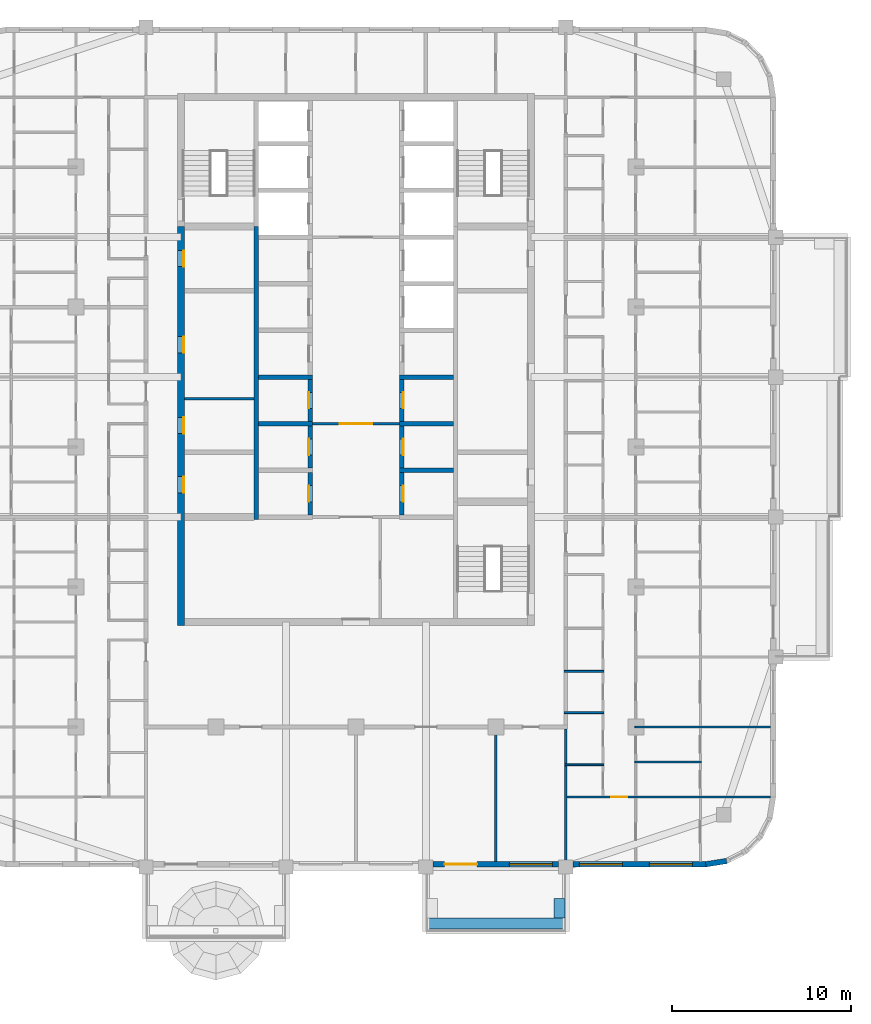
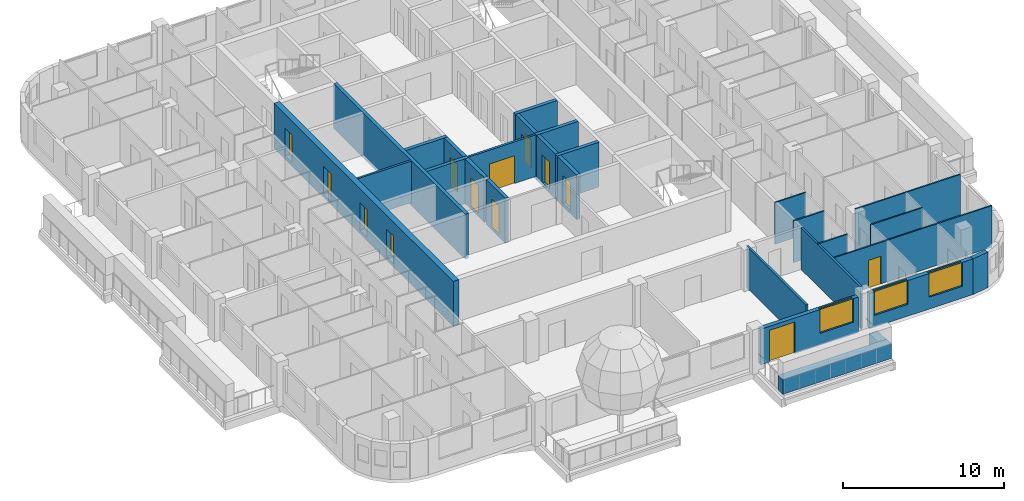
# One storey, part 5 of 17: 28 walls, 13 doors, 3 windows, 16 openings.
"""IFC4 building model written with IfcOpenShell, lengths in metres."""

from ifc_helpers import new_model, si_unit, direction, frame, frame_2d, origin, place, context, subcontext, project, spatial, rectangle, extrude, material, layer, layer_set, type_object, element, fill, save


model = new_model("IFC4")

# Units and contexts
model_context = context("Model", 3, precision=1e-05, world=origin(), true_north=direction((0.0, 1.0)))
body_context = subcontext(model_context, "Body", "Model", "MODEL_VIEW")
ifc_project = project(units=[si_unit("LENGTHUNIT", "METRE"), si_unit("AREAUNIT", "SQUARE_METRE"), si_unit("VOLUMEUNIT", "CUBIC_METRE"), si_unit("PLANEANGLEUNIT", "RADIAN"), si_unit("MASSUNIT", "GRAM", prefix="KILO")], contexts=[model_context])

# Site, building, storey
site_placement = place(None, origin())
site = spatial("IfcSite", under=ifc_project, at=site_placement, CompositionType="ELEMENT")
building_placement = place(site_placement, origin())
building = spatial("IfcBuilding", under=site, at=building_placement, Name="Ludao Terraces", CompositionType="ELEMENT")
storey_placement = place(building_placement, frame((0.0, 0.0, 231.300048828125)))
storey = spatial("IfcBuildingStorey", under=building, at=storey_placement, Name="L63", CompositionType="ELEMENT", Elevation=231.300048828125)

# Wall, openings, doors
ifc_material_1 = material(Name="Concrete C50", Category="concrete")
ifc_layer_1 = layer(ifc_material_1, 0.39990234375)
ifc_layer_set_1 = layer_set([ifc_layer_1], Name="Core wall 400 C50")
wall_type_1 = type_object("IfcWallType", Name="Core wall 400 C50", PredefinedType="SOLIDWALL", material=ifc_layer_set_1)
wall_1_placement = place(storey_placement, frame((75.25, 55.050048828125, -0.25), z_axis=(0.0, 0.0, 1.0), x_axis=(0.0, 1.0, 0.0)))
wall_1 = element("IfcWall", 1, at=wall_1_placement, inside=storey, type_object=wall_type_1, Name="Core wall L63 outer-W", PredefinedType="SOLIDWALL", context=body_context, shape_type="SweptSolid", body=[
    extrude(rectangle(XDim=22.25, YDim=0.39990234375, at=frame_2d((11.125, 0.0))), origin(), (0.0, 0.0, 1.0), 3.39990234375),
])
opening_1_placement = place(wall_1_placement, frame((7.39990234375, 0.0, 0.25)))
opening_1 = element("IfcOpeningElement", 2, at=opening_1_placement, cuts=wall_1, Name="Opening R22-054", PredefinedType="OPENING", context=body_context, shape_type="SweptSolid", body=[
    extrude(rectangle(XDim=0.89990234375, YDim=2.10009765625, at=frame_2d((0.449951171875, 1.050048828125))), frame((0.0, 0.2099609375, 0.0), z_axis=(0.0, -1.0, 0.0), x_axis=(1.0, 0.0, 0.0)), (0.0, 0.0, 1.0), 0.419921875),
])
opening_2_placement = place(wall_1_placement, frame((10.699951171875, 0.0, 0.25)))
opening_2 = element("IfcOpeningElement", 3, at=opening_2_placement, cuts=wall_1, Name="Opening R22-065", PredefinedType="OPENING", context=body_context, shape_type="SweptSolid", body=[
    extrude(rectangle(XDim=0.89990234375, YDim=2.10009765625, at=frame_2d((0.449951171875, 1.050048828125))), frame((0.0, 0.2099609375, 0.0), z_axis=(0.0, -1.0, 0.0), x_axis=(1.0, 0.0, 0.0)), (0.0, 0.0, 1.0), 0.419921875),
])
opening_3_placement = place(wall_1_placement, frame((15.199951171875, 0.0, 0.25)))
opening_3 = element("IfcOpeningElement", 4, at=opening_3_placement, cuts=wall_1, Name="Opening R22-081", PredefinedType="OPENING", context=body_context, shape_type="SweptSolid", body=[
    extrude(rectangle(XDim=0.89990234375, YDim=2.10009765625, at=frame_2d((0.449951171875, 1.050048828125))), frame((0.0, 0.2099609375, 0.0), z_axis=(0.0, -1.0, 0.0), x_axis=(1.0, 0.0, 0.0)), (0.0, 0.0, 1.0), 0.419921875),
])
opening_4_placement = place(wall_1_placement, frame((20.0, 0.0, 0.25)))
opening_4 = element("IfcOpeningElement", 5, at=opening_4_placement, cuts=wall_1, Name="Opening R22-097", PredefinedType="OPENING", context=body_context, shape_type="SweptSolid", body=[
    extrude(rectangle(XDim=0.89990234375, YDim=2.10009765625, at=frame_2d((0.449951171875, 1.050048828125))), frame((0.0, 0.2099609375, 0.0), z_axis=(0.0, -1.0, 0.0), x_axis=(1.0, 0.0, 0.0)), (0.0, 0.0, 1.0), 0.419921875),
])
ifc_material_2 = material(Name="Steel Q235", Category="steel")
door_type_1 = type_object("IfcDoorType", Name="INT Riser door 900", OperationType="SINGLE_SWING_LEFT", PredefinedType="DOOR", material=ifc_material_2)
door_1_placement = place(opening_1_placement, origin())
door_1 = element("IfcDoor", 6, at=door_1_placement, inside=storey, type_object=door_type_1, Name="DOOR 054", OperationType="SINGLE_SWING_RIGHT", OverallHeight=2.10009765625, OverallWidth=0.89990234375, PredefinedType="DOOR", context=body_context, shape_type="SweptSolid", body=[
    extrude(rectangle(XDim=0.89990234375, YDim=2.10009765625, at=frame_2d((0.449951171875, 1.050048828125))), frame((0.0, -0.134765625, 0.0), z_axis=(0.0, -1.0, 0.0), x_axis=(1.0, 0.0, 0.0)), (0.0, 0.0, 1.0), 0.050048828125),
])
fill(opening_1, door_1)
door_2_placement = place(opening_4_placement, origin())
door_2 = element("IfcDoor", 7, at=door_2_placement, inside=storey, type_object=door_type_1, Name="DOOR 097", OperationType="SINGLE_SWING_LEFT", OverallHeight=2.10009765625, OverallWidth=0.89990234375, PredefinedType="DOOR", context=body_context, shape_type="SweptSolid", body=[
    extrude(rectangle(XDim=0.89990234375, YDim=2.10009765625, at=frame_2d((0.449951171875, 1.050048828125))), frame((0.0, -0.134765625, 0.0), z_axis=(0.0, -1.0, 0.0), x_axis=(1.0, 0.0, 0.0)), (0.0, 0.0, 1.0), 0.050048828125),
])
fill(opening_4, door_2)
ifc_material_3 = material(Name="Timber door leaf", Category="wood")
door_type_2 = type_object("IfcDoorType", Name="INT Room door 900", OperationType="SINGLE_SWING_LEFT", PredefinedType="DOOR", material=ifc_material_3)
door_3_placement = place(opening_2_placement, origin())
door_3 = element("IfcDoor", 8, at=door_3_placement, inside=storey, type_object=door_type_2, Name="DOOR 065", OperationType="SINGLE_SWING_RIGHT", OverallHeight=2.10009765625, OverallWidth=0.89990234375, PredefinedType="DOOR", context=body_context, shape_type="SweptSolid", body=[
    extrude(rectangle(XDim=0.89990234375, YDim=2.10009765625, at=frame_2d((0.449951171875, 1.050048828125))), frame((0.0, -0.134765625, 0.0), z_axis=(0.0, -1.0, 0.0), x_axis=(1.0, 0.0, 0.0)), (0.0, 0.0, 1.0), 0.050048828125),
])
fill(opening_2, door_3)
door_4_placement = place(opening_3_placement, origin())
door_4 = element("IfcDoor", 9, at=door_4_placement, inside=storey, type_object=door_type_2, Name="DOOR 081", OperationType="SINGLE_SWING_RIGHT", OverallHeight=2.10009765625, OverallWidth=0.89990234375, PredefinedType="DOOR", context=body_context, shape_type="SweptSolid", body=[
    extrude(rectangle(XDim=0.89990234375, YDim=2.10009765625, at=frame_2d((0.449951171875, 1.050048828125))), frame((0.0, -0.134765625, 0.0), z_axis=(0.0, -1.0, 0.0), x_axis=(1.0, 0.0, 0.0)), (0.0, 0.0, 1.0), 0.050048828125),
])
fill(opening_3, door_4)

# Walls
ifc_material_4 = material(Name="Concrete C40", Category="concrete")
ifc_layer_2 = layer(ifc_material_4, 0.60009765625)
ifc_layer_set_2 = layer_set([ifc_layer_2], Name="ENV Planter trough 600")
wall_type_2 = type_object("IfcWallType", Name="ENV Planter trough 600", PredefinedType="USERDEFINED", material=ifc_layer_set_2)
wall_2_placement = place(storey_placement, frame((88.89990234375, 38.449951171875, 0.0), z_axis=(0.0, 0.0, 1.0), x_axis=(1.0, 0.0, 0.0)))
element("IfcWall", 10, at=wall_2_placement, inside=storey, type_object=wall_type_2, Name="PL-L63-S3", ObjectType="PLANTER", PredefinedType="USERDEFINED", context=body_context, shape_type="SweptSolid", body=[
    extrude(rectangle(XDim=7.800048828125, YDim=0.60009765625, at=frame_2d((3.89990234375, 0.0))), origin(), (0.0, 0.0, 1.0), 1.099853515625),
])
wall_3_placement = place(storey_placement, frame((96.35009765625, 38.75, 0.0), z_axis=(0.0, 0.0, 1.0), x_axis=(0.0, 1.0, 0.0)))
element("IfcWall", 11, at=wall_3_placement, inside=storey, type_object=wall_type_2, Name="PL-L63-S3-SB", ObjectType="PLANTER", PredefinedType="USERDEFINED", context=body_context, shape_type="SweptSolid", body=[
    extrude(rectangle(XDim=1.10009765625, YDim=0.60009765625, at=frame_2d((0.550048828125, 0.0))), origin(), (0.0, 0.0, 1.0), 1.099853515625),
])

# Wall, openings, door, window
ifc_material_5 = material(Name="Granite cladding", Category="masonry")
ifc_layer_3 = layer(ifc_material_5, 0.0400390625, Category="stone")
ifc_material_6 = material(Name="Mineral wool")
ifc_layer_4 = layer(ifc_material_6, 0.06005859375)
ifc_layer_5 = layer(ifc_material_4, 0.199951171875, Category="concrete")
ifc_layer_set_3 = layer_set([ifc_layer_3, ifc_layer_4, ifc_layer_5], Name="ENV Stone-clad wall 300")
wall_type_3 = type_object("IfcWallType", Name="ENV Stone-clad wall 300", PredefinedType="SOLIDWALL", material=ifc_layer_set_3)
wall_4_placement = place(storey_placement, frame((89.300048828125, 41.75, 0.0), z_axis=(0.0, 0.0, 1.0), x_axis=(1.0, 0.0, 0.0)))
wall_4 = element("IfcWall", 12, at=wall_4_placement, inside=storey, type_object=wall_type_3, Name="EW-L63-S4", PredefinedType="SOLIDWALL", context=body_context, shape_type="SweptSolid", body=[
    extrude(rectangle(XDim=7.0, YDim=0.300048828125, at=frame_2d((3.5, 0.0))), origin(), (0.0, 0.0, 1.0), 2.699951171875),
])
opening_5_placement = place(wall_4_placement, frame((0.64990234375, 0.0, 0.0)))
opening_5 = element("IfcOpeningElement", 13, at=opening_5_placement, cuts=wall_4, Name="Opening BD", PredefinedType="OPENING", context=body_context, shape_type="SweptSolid", body=[
    extrude(rectangle(XDim=1.800048828125, YDim=2.39990234375, at=frame_2d((0.89990234375, 1.199951171875))), frame((0.0, 0.16015625, 0.0), z_axis=(0.0, -1.0, 0.0), x_axis=(1.0, 0.0, 0.0)), (0.0, 0.0, 1.0), 0.320068359375),
])
opening_6_placement = place(wall_4_placement, frame((4.25, 0.0, 0.89990234375)))
opening_6 = element("IfcOpeningElement", 14, at=opening_6_placement, cuts=wall_4, Name="Opening W1", PredefinedType="OPENING", context=body_context, shape_type="SweptSolid", body=[
    extrude(rectangle(XDim=2.39990234375, YDim=1.800048828125, at=frame_2d((1.199951171875, 0.89990234375))), frame((0.0, 0.16015625, 0.0), z_axis=(0.0, -1.0, 0.0), x_axis=(1.0, 0.0, 0.0)), (0.0, 0.0, 1.0), 0.320068359375),
])
ifc_material_7 = material(Name="Aluminium glazed door", Category="aluminium")
ifc_layer_6 = layer(ifc_material_7, 0.06005859375)
ifc_layer_set_4 = layer_set([ifc_layer_6], Name="ENV Balcony door BD 1800x2400")
door_type_3 = type_object("IfcDoorType", Name="ENV Balcony door BD 1800x2400", OperationType="DOUBLE_DOOR_SINGLE_SWING", PredefinedType="DOOR", material=ifc_layer_set_4)
door_5_placement = place(opening_5_placement, origin())
door_5 = element("IfcDoor", 15, at=door_5_placement, inside=storey, type_object=door_type_3, Name="BD-L63-S4-1", OperationType="DOUBLE_DOOR_SINGLE_SWING", OverallHeight=2.39990234375, OverallWidth=1.800048828125, PredefinedType="DOOR", context=body_context, shape_type="SweptSolid", body=[
    extrude(rectangle(XDim=1.800048828125, YDim=2.39990234375, at=frame_2d((0.89990234375, 1.199951171875))), frame((0.0, 0.02490234375, 0.0), z_axis=(0.0, -1.0, 0.0), x_axis=(1.0, 0.0, 0.0)), (0.0, 0.0, 1.0), 0.050048828125),
])
fill(opening_5, door_5)
ifc_material_8 = material(Name="Clear glass in aluminium frame", Category="aluminium")
ifc_layer_7 = layer(ifc_material_8, 0.06005859375)
ifc_layer_set_5 = layer_set([ifc_layer_7], Name="ENV Window W1 2400x1800")
window_type = type_object("IfcWindowType", Name="ENV Window W1 2400x1800", PartitioningType="DOUBLE_PANEL_VERTICAL", PredefinedType="WINDOW", material=ifc_layer_set_5)
window_1_placement = place(opening_6_placement, origin())
window_1 = element("IfcWindow", 16, at=window_1_placement, inside=storey, type_object=window_type, Name="W-L63-S4-2", OverallHeight=1.800048828125, OverallWidth=2.39990234375, PartitioningType="DOUBLE_PANEL_VERTICAL", PredefinedType="WINDOW", context=body_context, shape_type="SweptSolid", body=[
    extrude(rectangle(XDim=2.39990234375, YDim=1.800048828125, at=frame_2d((1.199951171875, 0.89990234375))), frame((0.0, 0.030029296875, 0.0), z_axis=(0.0, -1.0, 0.0), x_axis=(1.0, 0.0, 0.0)), (0.0, 0.0, 1.0), 0.06005859375),
])
fill(opening_6, window_1)

# Wall, openings, windows
wall_5_placement = place(storey_placement, frame((97.10009765625, 41.75, 0.0), z_axis=(0.0, 0.0, 1.0), x_axis=(1.0, 0.0, 0.0)))
wall_5 = element("IfcWall", 17, at=wall_5_placement, inside=storey, type_object=wall_type_3, Name="EW-L63-S5", PredefinedType="SOLIDWALL", context=body_context, shape_type="SweptSolid", body=[
    extrude(rectangle(XDim=7.39990234375, YDim=0.300048828125, at=frame_2d((3.699951171875, 0.0))), origin(), (0.0, 0.0, 1.0), 2.699951171875),
])
opening_7_placement = place(wall_5_placement, frame((0.35009765625, 0.0, 0.89990234375)))
opening_7 = element("IfcOpeningElement", 18, at=opening_7_placement, cuts=wall_5, Name="Opening W1", PredefinedType="OPENING", context=body_context, shape_type="SweptSolid", body=[
    extrude(rectangle(XDim=2.39990234375, YDim=1.800048828125, at=frame_2d((1.199951171875, 0.89990234375))), frame((0.0, 0.16015625, 0.0), z_axis=(0.0, -1.0, 0.0), x_axis=(1.0, 0.0, 0.0)), (0.0, 0.0, 1.0), 0.320068359375),
])
opening_8_placement = place(wall_5_placement, frame((4.25, 0.0, 0.89990234375)))
opening_8 = element("IfcOpeningElement", 19, at=opening_8_placement, cuts=wall_5, Name="Opening W1", PredefinedType="OPENING", context=body_context, shape_type="SweptSolid", body=[
    extrude(rectangle(XDim=2.39990234375, YDim=1.800048828125, at=frame_2d((1.199951171875, 0.89990234375))), frame((0.0, 0.16015625, 0.0), z_axis=(0.0, -1.0, 0.0), x_axis=(1.0, 0.0, 0.0)), (0.0, 0.0, 1.0), 0.320068359375),
])
window_2_placement = place(opening_7_placement, origin())
window_2 = element("IfcWindow", 20, at=window_2_placement, inside=storey, type_object=window_type, Name="W-L63-S5-1", OverallHeight=1.800048828125, OverallWidth=2.39990234375, PartitioningType="DOUBLE_PANEL_VERTICAL", PredefinedType="WINDOW", context=body_context, shape_type="SweptSolid", body=[
    extrude(rectangle(XDim=2.39990234375, YDim=1.800048828125, at=frame_2d((1.199951171875, 0.89990234375))), frame((0.0, 0.030029296875, 0.0), z_axis=(0.0, -1.0, 0.0), x_axis=(1.0, 0.0, 0.0)), (0.0, 0.0, 1.0), 0.06005859375),
])
fill(opening_7, window_2)
window_3_placement = place(opening_8_placement, origin())
window_3 = element("IfcWindow", 21, at=window_3_placement, inside=storey, type_object=window_type, Name="W-L63-S5-2", OverallHeight=1.800048828125, OverallWidth=2.39990234375, PartitioningType="DOUBLE_PANEL_VERTICAL", PredefinedType="WINDOW", context=body_context, shape_type="SweptSolid", body=[
    extrude(rectangle(XDim=2.39990234375, YDim=1.800048828125, at=frame_2d((1.199951171875, 0.89990234375))), frame((0.0, 0.030029296875, 0.0), z_axis=(0.0, -1.0, 0.0), x_axis=(1.0, 0.0, 0.0)), (0.0, 0.0, 1.0), 0.06005859375),
])
fill(opening_8, window_3)

# Wall
wall_6_placement = place(storey_placement, frame((104.5, 41.75, 0.0), z_axis=(0.0, 0.0, 1.0), x_axis=(0.987678452879, 0.156496880861, 0.0)))
element("IfcWall", 22, at=wall_6_placement, inside=storey, type_object=wall_type_3, Name="EW-L63-SE1", PredefinedType="SOLIDWALL", context=body_context, shape_type="SweptSolid", body=[
    extrude(rectangle(XDim=1.173095703125, YDim=0.300048828125, at=frame_2d((0.58642578125, 0.0))), origin(), (0.0, 0.0, 1.0), 2.699951171875),
])

# Wall, opening, door
ifc_material_9 = material(Name="Fire-rated gypsum plasterboard", Category="gypsum")
ifc_layer_8 = layer(ifc_material_9, 0.012451171875, Category="gypsum")
ifc_layer_9 = layer(ifc_material_6, 0.10009765625, Name="insulation")
ifc_layer_10 = layer(ifc_material_2, 0.02490234375, Name="stud")
ifc_layer_11 = layer(ifc_material_9, 0.012451171875, Category="gypsum")
ifc_layer_set_6 = layer_set([ifc_layer_8, ifc_layer_9, ifc_layer_10, ifc_layer_11], Name="INT Core partition 150")
wall_type_4 = type_object("IfcWallType", Name="INT Core partition 150", PredefinedType="PARTITIONING", material=ifc_layer_set_6)
wall_7_placement = place(storey_placement, frame((82.5751953125, 66.300048828125, 0.0), z_axis=(0.0, 0.0, 1.0), x_axis=(1.0, 0.0, 0.0)))
wall_7 = element("IfcWall", 23, at=wall_7_placement, inside=storey, type_object=wall_type_4, Name="PW-L63-PW036", PredefinedType="PARTITIONING", context=body_context, shape_type="SweptSolid", body=[
    extrude(rectangle(XDim=4.849853515625, YDim=0.14990234375, at=frame_2d((2.4248046875, 0.0))), origin(), (0.0, 0.0, 1.0), 3.14990234375),
])
opening_9_placement = place(wall_7_placement, frame((1.52490234375, 0.0, 0.0)))
opening_9 = element("IfcOpeningElement", 24, at=opening_9_placement, cuts=wall_7, Name="Opening R22-066", PredefinedType="OPENING", context=body_context, shape_type="SweptSolid", body=[
    extrude(rectangle(XDim=1.800048828125, YDim=2.10009765625, at=frame_2d((0.89990234375, 1.050048828125))), frame((0.0, 0.0849609375, 0.0), z_axis=(0.0, -1.0, 0.0), x_axis=(1.0, 0.0, 0.0)), (0.0, 0.0, 1.0), 0.169921875),
])
door_type_4 = type_object("IfcDoorType", Name="INT Fire lobby door 1800", OperationType="DOUBLE_DOOR_SINGLE_SWING", PredefinedType="DOOR", material=ifc_material_2)
door_6_placement = place(opening_9_placement, origin())
door_6 = element("IfcDoor", 25, at=door_6_placement, inside=storey, type_object=door_type_4, Name="DOOR 066", OperationType="DOUBLE_DOOR_SINGLE_SWING", OverallHeight=2.10009765625, OverallWidth=1.800048828125, PredefinedType="DOOR", context=body_context, shape_type="SweptSolid", body=[
    extrude(rectangle(XDim=1.800048828125, YDim=2.10009765625, at=frame_2d((0.89990234375, 1.050048828125))), frame((0.0, 0.02490234375, 0.0), z_axis=(0.0, -1.0, 0.0), x_axis=(1.0, 0.0, 0.0)), (0.0, 0.0, 1.0), 0.050048828125),
])
fill(opening_9, door_6)

# Wall
wall_8_placement = place(storey_placement, frame((75.4501953125, 67.699951171875, 0.0), z_axis=(0.0, 0.0, 1.0), x_axis=(1.0, 0.0, 0.0)))
element("IfcWall", 26, at=wall_8_placement, inside=storey, type_object=wall_type_4, Name="PW-L63-PW039", PredefinedType="PARTITIONING", context=body_context, shape_type="SweptSolid", body=[
    extrude(rectangle(XDim=3.875, YDim=0.14990234375, at=frame_2d((1.9375, 0.0))), origin(), (0.0, 0.0, 1.0), 3.14990234375),
])

# Wall, opening, door
ifc_material_10 = material(Name="Gypsum plasterboard", Category="gypsum")
ifc_layer_12 = layer(ifc_material_10, 0.012451171875, Category="gypsum")
ifc_layer_13 = layer(ifc_material_6, 0.06005859375, Name="insulation")
ifc_layer_14 = layer(ifc_material_2, 0.014892578125, Name="stud")
ifc_layer_15 = layer(ifc_material_10, 0.012451171875, Category="gypsum")
ifc_layer_set_7 = layer_set([ifc_layer_12, ifc_layer_13, ifc_layer_14, ifc_layer_15], Name="INT Partition 100")
wall_type_5 = type_object("IfcWallType", Name="INT Partition 100", PredefinedType="PARTITIONING", material=ifc_layer_set_7)
wall_9_placement = place(storey_placement, frame((96.625, 45.5, 0.0), z_axis=(0.0, 0.0, 1.0), x_axis=(1.0, 0.0, 0.0)))
wall_9 = element("IfcWall", 27, at=wall_9_placement, inside=storey, type_object=wall_type_5, Name="PW-L63-PW001", PredefinedType="PARTITIONING", context=body_context, shape_type="SweptSolid", body=[
    extrude(rectangle(XDim=11.47509765625, YDim=0.10009765625, at=frame_2d((5.737548828125, 0.0))), origin(), (0.0, 0.0, 1.0), 3.14990234375),
])
opening_10_placement = place(wall_9_placement, frame((2.610107421875, 0.0, 0.0)))
opening_10 = element("IfcOpeningElement", 28, at=opening_10_placement, cuts=wall_9, Name="Opening R22-006", PredefinedType="OPENING", context=body_context, shape_type="SweptSolid", body=[
    extrude(rectangle(XDim=0.89990234375, YDim=2.10009765625, at=frame_2d((0.449951171875, 1.050048828125))), frame((0.0, 0.06005859375, 0.0), z_axis=(0.0, -1.0, 0.0), x_axis=(1.0, 0.0, 0.0)), (0.0, 0.0, 1.0), 0.1201171875),
])
door_7_placement = place(opening_10_placement, origin())
door_7 = element("IfcDoor", 29, at=door_7_placement, inside=storey, type_object=door_type_2, Name="DOOR 006", OperationType="SINGLE_SWING_LEFT", OverallHeight=2.10009765625, OverallWidth=0.89990234375, PredefinedType="DOOR", context=body_context, shape_type="SweptSolid", body=[
    extrude(rectangle(XDim=0.89990234375, YDim=2.10009765625, at=frame_2d((0.449951171875, 1.050048828125))), frame((0.0, 0.02490234375, 0.0), z_axis=(0.0, -1.0, 0.0), x_axis=(1.0, 0.0, 0.0)), (0.0, 0.0, 1.0), 0.050048828125),
])
fill(opening_10, door_7)

# Walls
wall_10_placement = place(storey_placement, frame((96.625, 47.300048828125, 0.0), z_axis=(0.0, 0.0, 1.0), x_axis=(1.0, 0.0, 0.0)))
element("IfcWall", 30, at=wall_10_placement, inside=storey, type_object=wall_type_5, Name="PW-L63-PW002", PredefinedType="PARTITIONING", context=body_context, shape_type="SweptSolid", body=[
    extrude(rectangle(XDim=2.195068359375, YDim=0.10009765625, at=frame_2d((1.09765625, 0.0))), origin(), (0.0, 0.0, 1.0), 3.14990234375),
])
wall_11_placement = place(storey_placement, frame((100.550048828125, 47.449951171875, 0.0), z_axis=(0.0, 0.0, 1.0), x_axis=(1.0, 0.0, 0.0)))
element("IfcWall", 31, at=wall_11_placement, inside=storey, type_object=wall_type_5, Name="PW-L63-PW003", PredefinedType="PARTITIONING", context=body_context, shape_type="SweptSolid", body=[
    extrude(rectangle(XDim=3.699951171875, YDim=0.10009765625, at=frame_2d((1.85009765625, 0.0))), origin(), (0.0, 0.0, 1.0), 3.14990234375),
])
wall_12_placement = place(storey_placement, frame((100.550048828125, 49.39990234375, 0.0), z_axis=(0.0, 0.0, 1.0), x_axis=(1.0, 0.0, 0.0)))
element("IfcWall", 32, at=wall_12_placement, inside=storey, type_object=wall_type_5, Name="PW-L63-PW007", PredefinedType="PARTITIONING", context=body_context, shape_type="SweptSolid", body=[
    extrude(rectangle(XDim=7.550048828125, YDim=0.10009765625, at=frame_2d((3.77490234375, 0.0))), origin(), (0.0, 0.0, 1.0), 3.14990234375),
])
for number, where, z_axis, x_axis, name in (
    (33, (96.60009765625, 50.199951171875, 0.0), (0.0, 0.0, 1.0), (1.0, 0.0, 0.0), "PW-L63-PW008"),
    (34, (96.60009765625, 52.5, 0.0), (0.0, 0.0, 1.0), (1.0, 0.0, 0.0), "PW-L63-PW010"),
):
    element("IfcWall", number, at=place(storey_placement, frame(where, z_axis=z_axis, x_axis=x_axis)), inside=storey, type_object=wall_type_5, Name=name, PredefinedType="PARTITIONING", context=body_context, shape_type="SweptSolid", body=[
        extrude(rectangle(XDim=2.219970703125, YDim=0.10009765625, at=frame_2d((1.10986328125, 0.0))), origin(), (0.0, 0.0, 1.0), 3.14990234375),
    ])
ifc_material_11 = material(Name="Autoclaved aerated concrete block B06 A3.5", Category="concrete")
ifc_layer_16 = layer(ifc_material_11, 0.14990234375)
ifc_layer_set_8 = layer_set([ifc_layer_16], Name="INT Party wall 150")
wall_type_6 = type_object("IfcWallType", Name="INT Party wall 150", PredefinedType="PARTITIONING", material=ifc_layer_set_8)
for number, where, z_axis, x_axis, name in (
    (35, (92.800048828125, 41.900146484375, 0.0), (0.0, 0.0, 1.0), (0.0, 1.0, 0.0), "PW-L63-PW086"),
    (36, (96.699951171875, 41.900146484375, 0.0), (0.0, 0.0, 1.0), (0.0, 1.0, 0.0), "PW-L63-PW088"),
):
    element("IfcWall", number, at=place(storey_placement, frame(where, z_axis=z_axis, x_axis=x_axis)), inside=storey, type_object=wall_type_6, Name=name, PredefinedType="PARTITIONING", context=body_context, shape_type="SweptSolid", body=[
        extrude(rectangle(XDim=7.39990234375, YDim=0.14990234375, at=frame_2d((3.699951171875, 0.0))), origin(), (0.0, 0.0, 1.0), 3.14990234375),
    ])
ifc_layer_17 = layer(ifc_material_1, 0.25)
ifc_layer_set_9 = layer_set([ifc_layer_17], Name="Shaft wall 250 C50")
wall_type_7 = type_object("IfcWallType", Name="Shaft wall 250 C50", PredefinedType="SOLIDWALL", material=ifc_layer_set_9)
wall_13_placement = place(storey_placement, frame((79.449951171875, 60.97509765625, -0.25), z_axis=(0.0, 0.0, 1.0), x_axis=(0.0, 1.0, 0.0)))
element("IfcWall", 37, at=wall_13_placement, inside=storey, type_object=wall_type_7, Name="Core wall L63 back-W", PredefinedType="SOLIDWALL", context=body_context, shape_type="SweptSolid", body=[
    extrude(rectangle(XDim=16.324951171875, YDim=0.25, at=frame_2d((8.16259765625, 0.0))), origin(), (0.0, 0.0, 1.0), 3.39990234375),
])

# Wall, opening, door
wall_14_placement = place(storey_placement, frame((82.449951171875, 61.22509765625, -0.25), z_axis=(0.0, 0.0, 1.0), x_axis=(0.0, 1.0, 0.0)))
wall_14 = element("IfcWall", 38, at=wall_14_placement, inside=storey, type_object=wall_type_7, Name="Core wall L63 front-W1", PredefinedType="SOLIDWALL", context=body_context, shape_type="SweptSolid", body=[
    extrude(rectangle(XDim=2.349853515625, YDim=0.25, at=frame_2d((1.1748046875, 0.0))), origin(), (0.0, 0.0, 1.0), 3.39990234375),
])
opening_11_placement = place(wall_14_placement, frame((0.72509765625, 0.0, 0.25)))
opening_11 = element("IfcOpeningElement", 39, at=opening_11_placement, cuts=wall_14, Name="Opening R22-050", PredefinedType="OPENING", context=body_context, shape_type="SweptSolid", body=[
    extrude(rectangle(XDim=0.89990234375, YDim=2.10009765625, at=frame_2d((0.449951171875, 1.050048828125))), frame((0.0, 0.135009765625, 0.0), z_axis=(0.0, -1.0, 0.0), x_axis=(1.0, 0.0, 0.0)), (0.0, 0.0, 1.0), 0.27001953125),
])
door_8_placement = place(opening_11_placement, origin())
door_8 = element("IfcDoor", 40, at=door_8_placement, inside=storey, type_object=door_type_2, Name="DOOR 050", OperationType="SINGLE_SWING_LEFT", OverallHeight=2.10009765625, OverallWidth=0.89990234375, PredefinedType="DOOR", context=body_context, shape_type="SweptSolid", body=[
    extrude(rectangle(XDim=0.89990234375, YDim=2.10009765625, at=frame_2d((0.449951171875, 1.050048828125))), frame((0.0, 0.10986328125, 0.0), z_axis=(0.0, -1.0, 0.0), x_axis=(1.0, 0.0, 0.0)), (0.0, 0.0, 1.0), 0.050048828125),
])
fill(opening_11, door_8)

wall_15_placement = place(storey_placement, frame((82.449951171875, 63.824951171875, -0.25), z_axis=(0.0, 0.0, 1.0), x_axis=(0.0, 1.0, 0.0)))
wall_15 = element("IfcWall", 41, at=wall_15_placement, inside=storey, type_object=wall_type_7, Name="Core wall L63 front-W2", PredefinedType="SOLIDWALL", context=body_context, shape_type="SweptSolid", body=[
    extrude(rectangle(XDim=2.35009765625, YDim=0.25, at=frame_2d((1.175048828125, 0.0))), origin(), (0.0, 0.0, 1.0), 3.39990234375),
])
opening_12_placement = place(wall_15_placement, frame((0.72509765625, 0.0, 0.25)))
opening_12 = element("IfcOpeningElement", 42, at=opening_12_placement, cuts=wall_15, Name="Opening R22-061", PredefinedType="OPENING", context=body_context, shape_type="SweptSolid", body=[
    extrude(rectangle(XDim=0.89990234375, YDim=2.10009765625, at=frame_2d((0.449951171875, 1.050048828125))), frame((0.0, 0.135009765625, 0.0), z_axis=(0.0, -1.0, 0.0), x_axis=(1.0, 0.0, 0.0)), (0.0, 0.0, 1.0), 0.27001953125),
])
door_9_placement = place(opening_12_placement, origin())
door_9 = element("IfcDoor", 43, at=door_9_placement, inside=storey, type_object=door_type_2, Name="DOOR 061", OperationType="SINGLE_SWING_LEFT", OverallHeight=2.10009765625, OverallWidth=0.89990234375, PredefinedType="DOOR", context=body_context, shape_type="SweptSolid", body=[
    extrude(rectangle(XDim=0.89990234375, YDim=2.10009765625, at=frame_2d((0.449951171875, 1.050048828125))), frame((0.0, 0.10986328125, 0.0), z_axis=(0.0, -1.0, 0.0), x_axis=(1.0, 0.0, 0.0)), (0.0, 0.0, 1.0), 0.050048828125),
])
fill(opening_12, door_9)

# Wall
wall_16_placement = place(storey_placement, frame((79.574951171875, 66.300048828125, -0.25), z_axis=(0.0, 0.0, 1.0), x_axis=(1.0, 0.0, 0.0)))
element("IfcWall", 44, at=wall_16_placement, inside=storey, type_object=wall_type_7, Name="Core wall L63 div-W3", PredefinedType="SOLIDWALL", context=body_context, shape_type="SweptSolid", body=[
    extrude(rectangle(XDim=3.0, YDim=0.25, at=frame_2d((1.5, 0.0))), origin(), (0.0, 0.0, 1.0), 3.39990234375),
])

# Wall, opening, door
wall_17_placement = place(storey_placement, frame((82.449951171875, 66.425048828125, -0.25), z_axis=(0.0, 0.0, 1.0), x_axis=(0.0, 1.0, 0.0)))
wall_17 = element("IfcWall", 45, at=wall_17_placement, inside=storey, type_object=wall_type_7, Name="Core wall L63 front-W3", PredefinedType="SOLIDWALL", context=body_context, shape_type="SweptSolid", body=[
    extrude(rectangle(XDim=2.349853515625, YDim=0.25, at=frame_2d((1.1748046875, 0.0))), origin(), (0.0, 0.0, 1.0), 3.39990234375),
])
opening_13_placement = place(wall_17_placement, frame((0.72509765625, 0.0, 0.25)))
opening_13 = element("IfcOpeningElement", 46, at=opening_13_placement, cuts=wall_17, Name="Opening R22-070", PredefinedType="OPENING", context=body_context, shape_type="SweptSolid", body=[
    extrude(rectangle(XDim=0.89990234375, YDim=2.10009765625, at=frame_2d((0.449951171875, 1.050048828125))), frame((0.0, 0.135009765625, 0.0), z_axis=(0.0, -1.0, 0.0), x_axis=(1.0, 0.0, 0.0)), (0.0, 0.0, 1.0), 0.27001953125),
])
door_10_placement = place(opening_13_placement, origin())
door_10 = element("IfcDoor", 47, at=door_10_placement, inside=storey, type_object=door_type_2, Name="DOOR 070", OperationType="SINGLE_SWING_LEFT", OverallHeight=2.10009765625, OverallWidth=0.89990234375, PredefinedType="DOOR", context=body_context, shape_type="SweptSolid", body=[
    extrude(rectangle(XDim=0.89990234375, YDim=2.10009765625, at=frame_2d((0.449951171875, 1.050048828125))), frame((0.0, 0.10986328125, 0.0), z_axis=(0.0, -1.0, 0.0), x_axis=(1.0, 0.0, 0.0)), (0.0, 0.0, 1.0), 0.050048828125),
])
fill(opening_13, door_10)

# Wall
wall_18_placement = place(storey_placement, frame((79.574951171875, 68.89990234375, -0.25), z_axis=(0.0, 0.0, 1.0), x_axis=(1.0, 0.0, 0.0)))
element("IfcWall", 48, at=wall_18_placement, inside=storey, type_object=wall_type_7, Name="Core wall L63 div-W4", PredefinedType="SOLIDWALL", context=body_context, shape_type="SweptSolid", body=[
    extrude(rectangle(XDim=3.0, YDim=0.25, at=frame_2d((1.5, 0.0))), origin(), (0.0, 0.0, 1.0), 3.39990234375),
])

# Wall, opening, door
wall_19_placement = place(storey_placement, frame((87.550048828125, 61.22509765625, -0.25), z_axis=(0.0, 0.0, 1.0), x_axis=(0.0, 1.0, 0.0)))
wall_19 = element("IfcWall", 49, at=wall_19_placement, inside=storey, type_object=wall_type_7, Name="Core wall L63 front-E1", PredefinedType="SOLIDWALL", context=body_context, shape_type="SweptSolid", body=[
    extrude(rectangle(XDim=2.349853515625, YDim=0.25, at=frame_2d((1.1748046875, 0.0))), origin(), (0.0, 0.0, 1.0), 3.39990234375),
])
opening_14_placement = place(wall_19_placement, frame((0.72509765625, 0.0, 0.25)))
opening_14 = element("IfcOpeningElement", 50, at=opening_14_placement, cuts=wall_19, Name="Opening R22-051", PredefinedType="OPENING", context=body_context, shape_type="SweptSolid", body=[
    extrude(rectangle(XDim=0.89990234375, YDim=2.10009765625, at=frame_2d((0.449951171875, 1.050048828125))), frame((0.0, 0.135009765625, 0.0), z_axis=(0.0, -1.0, 0.0), x_axis=(1.0, 0.0, 0.0)), (0.0, 0.0, 1.0), 0.27001953125),
])
door_11_placement = place(opening_14_placement, origin())
door_11 = element("IfcDoor", 51, at=door_11_placement, inside=storey, type_object=door_type_2, Name="DOOR 051", OperationType="SINGLE_SWING_RIGHT", OverallHeight=2.10009765625, OverallWidth=0.89990234375, PredefinedType="DOOR", context=body_context, shape_type="SweptSolid", body=[
    extrude(rectangle(XDim=0.89990234375, YDim=2.10009765625, at=frame_2d((0.449951171875, 1.050048828125))), frame((0.0, -0.06005859375, 0.0), z_axis=(0.0, -1.0, 0.0), x_axis=(1.0, 0.0, 0.0)), (0.0, 0.0, 1.0), 0.050048828125),
])
fill(opening_14, door_11)

# Wall
wall_20_placement = place(storey_placement, frame((87.425048828125, 63.699951171875, -0.25), z_axis=(0.0, 0.0, 1.0), x_axis=(1.0, 0.0, 0.0)))
element("IfcWall", 52, at=wall_20_placement, inside=storey, type_object=wall_type_7, Name="Core wall L63 div-E2", PredefinedType="SOLIDWALL", context=body_context, shape_type="SweptSolid", body=[
    extrude(rectangle(XDim=3.0, YDim=0.25, at=frame_2d((1.5, 0.0))), origin(), (0.0, 0.0, 1.0), 3.39990234375),
])

# Wall, opening, door
wall_21_placement = place(storey_placement, frame((87.550048828125, 63.824951171875, -0.25), z_axis=(0.0, 0.0, 1.0), x_axis=(0.0, 1.0, 0.0)))
wall_21 = element("IfcWall", 53, at=wall_21_placement, inside=storey, type_object=wall_type_7, Name="Core wall L63 front-E2", PredefinedType="SOLIDWALL", context=body_context, shape_type="SweptSolid", body=[
    extrude(rectangle(XDim=2.35009765625, YDim=0.25, at=frame_2d((1.175048828125, 0.0))), origin(), (0.0, 0.0, 1.0), 3.39990234375),
])
opening_15_placement = place(wall_21_placement, frame((0.72509765625, 0.0, 0.25)))
opening_15 = element("IfcOpeningElement", 54, at=opening_15_placement, cuts=wall_21, Name="Opening R22-062", PredefinedType="OPENING", context=body_context, shape_type="SweptSolid", body=[
    extrude(rectangle(XDim=0.89990234375, YDim=2.10009765625, at=frame_2d((0.449951171875, 1.050048828125))), frame((0.0, 0.135009765625, 0.0), z_axis=(0.0, -1.0, 0.0), x_axis=(1.0, 0.0, 0.0)), (0.0, 0.0, 1.0), 0.27001953125),
])
door_12_placement = place(opening_15_placement, origin())
door_12 = element("IfcDoor", 55, at=door_12_placement, inside=storey, type_object=door_type_2, Name="DOOR 062", OperationType="SINGLE_SWING_RIGHT", OverallHeight=2.10009765625, OverallWidth=0.89990234375, PredefinedType="DOOR", context=body_context, shape_type="SweptSolid", body=[
    extrude(rectangle(XDim=0.89990234375, YDim=2.10009765625, at=frame_2d((0.449951171875, 1.050048828125))), frame((0.0, -0.06005859375, 0.0), z_axis=(0.0, -1.0, 0.0), x_axis=(1.0, 0.0, 0.0)), (0.0, 0.0, 1.0), 0.050048828125),
])
fill(opening_15, door_12)

# Wall
wall_22_placement = place(storey_placement, frame((87.425048828125, 66.300048828125, -0.25), z_axis=(0.0, 0.0, 1.0), x_axis=(1.0, 0.0, 0.0)))
element("IfcWall", 56, at=wall_22_placement, inside=storey, type_object=wall_type_7, Name="Core wall L63 div-E3", PredefinedType="SOLIDWALL", context=body_context, shape_type="SweptSolid", body=[
    extrude(rectangle(XDim=3.0, YDim=0.25, at=frame_2d((1.5, 0.0))), origin(), (0.0, 0.0, 1.0), 3.39990234375),
])

# Wall, opening, door
wall_23_placement = place(storey_placement, frame((87.550048828125, 66.425048828125, -0.25), z_axis=(0.0, 0.0, 1.0), x_axis=(0.0, 1.0, 0.0)))
wall_23 = element("IfcWall", 57, at=wall_23_placement, inside=storey, type_object=wall_type_7, Name="Core wall L63 front-E3", PredefinedType="SOLIDWALL", context=body_context, shape_type="SweptSolid", body=[
    extrude(rectangle(XDim=2.349853515625, YDim=0.25, at=frame_2d((1.1748046875, 0.0))), origin(), (0.0, 0.0, 1.0), 3.39990234375),
])
opening_16_placement = place(wall_23_placement, frame((0.72509765625, 0.0, 0.25)))
opening_16 = element("IfcOpeningElement", 58, at=opening_16_placement, cuts=wall_23, Name="Opening R22-071", PredefinedType="OPENING", context=body_context, shape_type="SweptSolid", body=[
    extrude(rectangle(XDim=0.89990234375, YDim=2.10009765625, at=frame_2d((0.449951171875, 1.050048828125))), frame((0.0, 0.135009765625, 0.0), z_axis=(0.0, -1.0, 0.0), x_axis=(1.0, 0.0, 0.0)), (0.0, 0.0, 1.0), 0.27001953125),
])
door_13_placement = place(opening_16_placement, origin())
door_13 = element("IfcDoor", 59, at=door_13_placement, inside=storey, type_object=door_type_2, Name="DOOR 071", OperationType="SINGLE_SWING_RIGHT", OverallHeight=2.10009765625, OverallWidth=0.89990234375, PredefinedType="DOOR", context=body_context, shape_type="SweptSolid", body=[
    extrude(rectangle(XDim=0.89990234375, YDim=2.10009765625, at=frame_2d((0.449951171875, 1.050048828125))), frame((0.0, -0.06005859375, 0.0), z_axis=(0.0, -1.0, 0.0), x_axis=(1.0, 0.0, 0.0)), (0.0, 0.0, 1.0), 0.050048828125),
])
fill(opening_16, door_13)

# Wall
wall_24_placement = place(storey_placement, frame((87.425048828125, 68.89990234375, -0.25), z_axis=(0.0, 0.0, 1.0), x_axis=(1.0, 0.0, 0.0)))
element("IfcWall", 60, at=wall_24_placement, inside=storey, type_object=wall_type_7, Name="Core wall L63 div-E4", PredefinedType="SOLIDWALL", context=body_context, shape_type="SweptSolid", body=[
    extrude(rectangle(XDim=3.0, YDim=0.25, at=frame_2d((1.5, 0.0))), origin(), (0.0, 0.0, 1.0), 3.39990234375),
])

save(model, "model.ifc")
